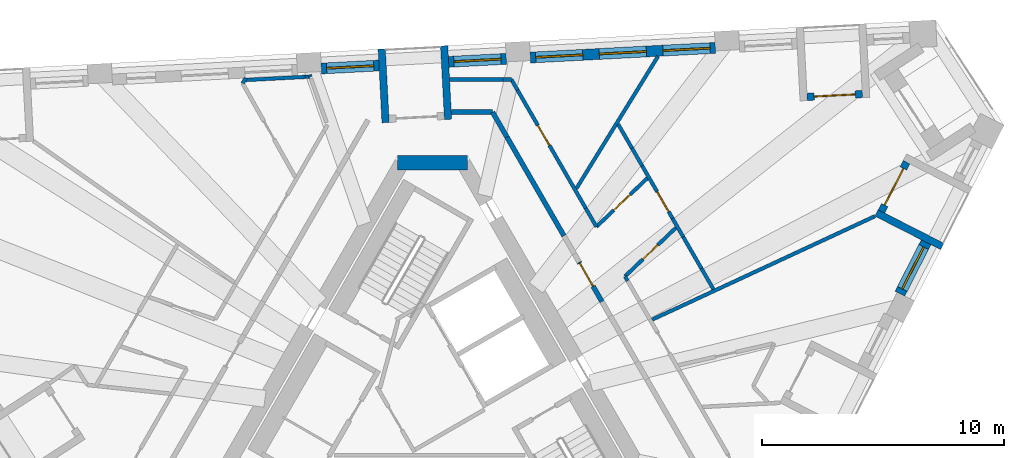
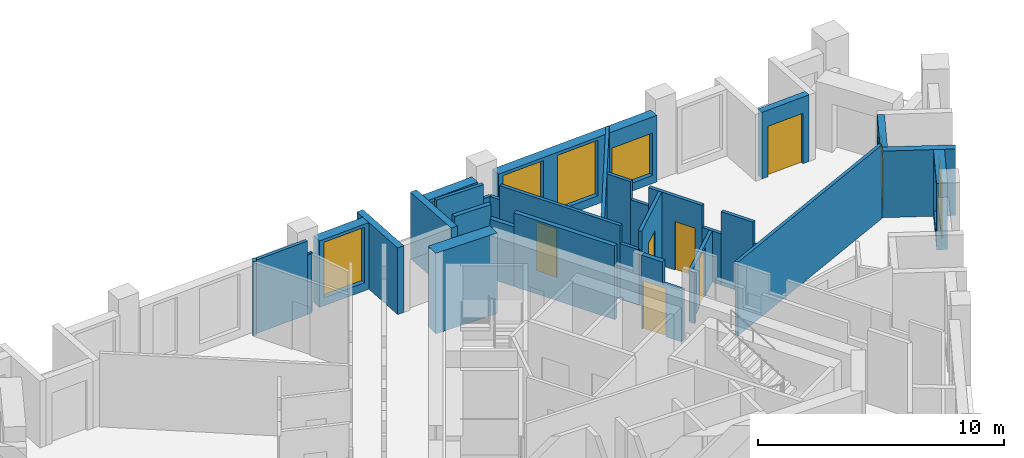
# One storey, part 8 of 13: 34 walls, 7 doors, 6 windows, 13 openings.
"""IFC4 building model written with IfcOpenShell, lengths in metres."""

from ifc_helpers import new_model, si_unit, direction, frame, frame_2d, origin, place, context, subcontext, project, spatial, polyline, rectangle, outline, extrude, material, layer, layer_set, type_object, element, fill, save


model = new_model("IFC4")

# Units and contexts
model_context = context("Model", 3, precision=1e-05, world=origin(), true_north=direction((0.0, 1.0)))
body_context = subcontext(model_context, "Body", "Model", "MODEL_VIEW")
ifc_project = project(units=[si_unit("LENGTHUNIT", "METRE"), si_unit("AREAUNIT", "SQUARE_METRE"), si_unit("VOLUMEUNIT", "CUBIC_METRE"), si_unit("PLANEANGLEUNIT", "RADIAN"), si_unit("MASSUNIT", "GRAM", prefix="KILO")], contexts=[model_context])

# Site, building, storey
site_placement = place(None, origin())
site = spatial("IfcSite", under=ifc_project, at=site_placement, CompositionType="ELEMENT")
building_placement = place(site_placement, origin())
building = spatial("IfcBuilding", under=site, at=building_placement, Name="Tramontana Tower", CompositionType="ELEMENT")
storey_placement = place(building_placement, frame((0.0, 0.0, 290.39990234375)))
storey = spatial("IfcBuildingStorey", under=building, at=storey_placement, Name="L68", CompositionType="ELEMENT", Elevation=290.39990234375)

# Walls
ifc_material_1 = material(Name="Concrete 70 MPa", Category="concrete")
ifc_layer_1 = layer(ifc_material_1, 0.60009765625)
ifc_layer_set_1 = layer_set([ifc_layer_1], Name="Core wall 600 70 MPa")
wall_type_1 = type_object("IfcWallType", Name="Core wall 600 70 MPa", PredefinedType="SHEAR", material=ifc_layer_set_1)
wall_1_placement = place(storey_placement, frame((1.443359375, 10.699951171875, 0.0), z_axis=(0.0, 0.0, 1.0), x_axis=(-1.0, 0.0, 0.0)))
element("IfcWall", 1, at=wall_1_placement, inside=storey, type_object=wall_type_1, Name="Core wall C0 L68", PredefinedType="SHEAR", context=body_context, shape_type="SweptSolid", body=[
    extrude(rectangle(XDim=2.88671875, YDim=0.60009765625, at=frame_2d((1.443359375, 0.0))), origin(), (0.0, 0.0, 1.0), 4.0),
])
ifc_material_2 = material(Name="Blockwork", Category="masonry")
ifc_layer_2 = layer(ifc_material_2, 0.199951171875)
ifc_layer_set_2 = layer_set([ifc_layer_2], Name="ENTRY WALL 200")
wall_type_2 = type_object("IfcWallType", Name="ENTRY WALL 200", PredefinedType="SOLIDWALL", material=ifc_layer_set_2)
wall_2_placement = place(storey_placement, frame((0.774658203125, 12.800048828125, 0.0), z_axis=(0.0, 0.0, 1.0), x_axis=(1.0, 0.0, 0.0)))
element("IfcWall", 2, at=wall_2_placement, inside=storey, type_object=wall_type_2, Name="Wall v71-ew4", PredefinedType="SOLIDWALL", context=body_context, shape_type="SweptSolid", body=[
    extrude(rectangle(XDim=1.7080078125, YDim=0.199951171875, at=frame_2d((0.85400390625, 0.0))), origin(), (0.0, 0.0, 1.0), 3.650146484375),
])
wall_3_placement = place(storey_placement, frame((2.482666015625, 12.800048828125, 0.0), z_axis=(0.0, 0.0, 1.0), x_axis=(0.499983247966, -0.86603507536, 0.0)))
element("IfcWall", 3, at=wall_3_placement, inside=storey, type_object=wall_type_2, Name="Wall v71-ew5-0", PredefinedType="SOLIDWALL", context=body_context, shape_type="SweptSolid", body=[
    extrude(rectangle(XDim=1.1884765625, YDim=0.199951171875, at=frame_2d((0.59423828125, 0.0))), origin(), (0.0, 0.0, 1.0), 2.9501953125),
])
wall_4_placement = place(storey_placement, frame((3.076904296875, 11.770751953125, 0.0), z_axis=(0.0, 0.0, 1.0), x_axis=(0.500007683529, -0.866020967652, 0.0)))
element("IfcWall", 4, at=wall_4_placement, inside=storey, type_object=wall_type_2, Name="Wall v71-ew5-1", PredefinedType="SOLIDWALL", context=body_context, shape_type="SweptSolid", body=[
    extrude(rectangle(XDim=4.71728515625, YDim=0.199951171875, at=frame_2d((2.358642578125, 0.0))), origin(), (0.0, 0.0, 1.0), 3.650146484375),
])

# Wall, opening, door
wall_5_placement = place(storey_placement, frame((6.0654296875, 6.59423828125, 0.0), z_axis=(0.0, 0.0, 1.0), x_axis=(0.499988092049, -0.866032278734, 0.0)))
wall_5 = element("IfcWall", 5, at=wall_5_placement, inside=storey, type_object=wall_type_2, Name="Wall v71-ew5-4", PredefinedType="SOLIDWALL", context=body_context, shape_type="SweptSolid", body=[
    extrude(outline(polyline([(0.0, 0.0), (1.8828125, 0.0), (1.8828125, 2.550048828125), (0.973388671875, 2.550048828125), (0.973388671875, 3.650146484375), (0.0, 3.650146484375), (0.0, 0.0)])), frame((0.0, 0.10009765625, 0.0), z_axis=(0.0, -1.0, 0.0), x_axis=(1.0, 0.0, 0.0)), (0.0, 0.0, 1.0), 0.199951171875),
])
opening_1_placement = place(wall_5_placement, frame((0.050048828125, 0.0, 0.0)))
opening_1 = element("IfcOpeningElement", 6, at=opening_1_placement, cuts=wall_5, Name="Opening B7B-22", PredefinedType="OPENING", context=body_context, shape_type="SweptSolid", body=[
    extrude(rectangle(XDim=1.10009765625, YDim=2.39990234375, at=frame_2d((0.550048828125, 1.199951171875))), frame((0.0, 0.10986328125, 0.0), z_axis=(0.0, -1.0, 0.0), x_axis=(1.0, 0.0, 0.0)), (0.0, 0.0, 1.0), 0.219970703125),
])
ifc_material_3 = material(Name="Painted timber", Category="wood")
door_type_1 = type_object("IfcDoorType", Name="DOOR ENTRY 1100", OperationType="SINGLE_SWING_LEFT", PredefinedType="DOOR", material=ifc_material_3)
door_1_placement = place(opening_1_placement, origin())
door_1 = element("IfcDoor", 7, at=door_1_placement, inside=storey, type_object=door_type_1, Name="Door B7B-22", OperationType="SINGLE_SWING_RIGHT", OverallHeight=2.39990234375, OverallWidth=1.10009765625, PredefinedType="DOOR", context=body_context, shape_type="SweptSolid", body=[
    extrude(rectangle(XDim=1.10009765625, YDim=2.39990234375, at=frame_2d((0.550048828125, 1.199951171875))), frame((0.0, 0.02490234375, 0.0), z_axis=(0.0, -1.0, 0.0), x_axis=(1.0, 0.0, 0.0)), (0.0, 0.0, 1.0), 0.050048828125),
])
fill(opening_1, door_1)

# Wall, opening, window
ifc_material_4 = material(Name="Precast concrete 60 MPa", Category="concrete")
ifc_layer_3 = layer(ifc_material_4, 0.449951171875)
ifc_layer_set_3 = layer_set([ifc_layer_3], Name="Precast concrete 60 MPa, 450 mm")
wall_type_3 = type_object("IfcWallType", Name="EW1 Stone-faced precast wall 450", PredefinedType="SOLIDWALL", material=ifc_layer_set_3)
wall_6_placement = place(storey_placement, frame((19.333740234375, 5.28955078125, 0.0), z_axis=(0.0, 0.0, 1.0), x_axis=(0.453951830128, 0.891026226283, 0.0)))
wall_6 = element("IfcWall", 8, at=wall_6_placement, inside=storey, type_object=wall_type_3, Name="External wall L68 face 1 bay 5", PredefinedType="SOLIDWALL", context=body_context, shape_type="SweptSolid", body=[
    extrude(rectangle(XDim=2.38671875, YDim=0.449951171875, at=frame_2d((1.193359375, 0.0))), origin(), (0.0, 0.0, 1.0), 3.300048828125),
])
opening_2_placement = place(wall_6_placement, frame((0.21826171875, 0.0, 0.39990234375)))
opening_2 = element("IfcOpeningElement", 9, at=opening_2_placement, cuts=wall_6, Name="Opening M3", PredefinedType="OPENING", context=body_context, shape_type="SweptSolid", body=[
    extrude(rectangle(XDim=1.949951171875, YDim=2.75, at=frame_2d((0.97509765625, 1.375))), frame((0.0, 0.23486328125, 0.0), z_axis=(0.0, -1.0, 0.0), x_axis=(1.0, 0.0, 0.0)), (0.0, 0.0, 1.0), 0.469970703125),
])
ifc_material_5 = material(Name="Aluminum frame, double glazing unit", Category="aluminium")
window_type_1 = type_object("IfcWindowType", Name="M3 Window 1.95 x 2.75", PartitioningType="SINGLE_PANEL", PredefinedType="WINDOW", material=ifc_material_5)
window_1_placement = place(opening_2_placement, origin())
window_1 = element("IfcWindow", 10, at=window_1_placement, inside=storey, type_object=window_type_1, Name="Window M3 L68 face 1 module 13", OverallHeight=2.75, OverallWidth=1.949951171875, PartitioningType="SINGLE_PANEL", PredefinedType="WINDOW", context=body_context, shape_type="SweptSolid", body=[
    extrude(rectangle(XDim=1.949951171875, YDim=2.75, at=frame_2d((0.97509765625, 1.375))), frame((0.0, 0.030029296875, 0.0), z_axis=(0.0, -1.0, 0.0), x_axis=(1.0, 0.0, 0.0)), (0.0, 0.0, 1.0), 0.06005859375),
])
fill(opening_2, window_1)

# Wall, openings, windows
wall_7_placement = place(storey_placement, frame((11.697265625, 15.45849609375, 0.0), z_axis=(0.0, 0.0, 1.0), x_axis=(-0.998628023429, -0.052364786088, 0.0)))
wall_7 = element("IfcWall", 11, at=wall_7_placement, inside=storey, type_object=wall_type_3, Name="External wall L68 face 2 bay 2", PredefinedType="SOLIDWALL", context=body_context, shape_type="SweptSolid", body=[
    extrude(rectangle(XDim=7.66015625, YDim=0.449951171875, at=frame_2d((3.830078125, 0.0))), origin(), (0.0, 0.0, 1.0), 3.300048828125),
])
opening_3_placement = place(wall_7_placement, frame((0.21826171875, 0.0, 0.39990234375)))
opening_3 = element("IfcOpeningElement", 12, at=opening_3_placement, cuts=wall_7, Name="Opening M3L", PredefinedType="OPENING", context=body_context, shape_type="SweptSolid", body=[
    extrude(rectangle(XDim=1.949951171875, YDim=2.10009765625, at=frame_2d((0.97509765625, 1.050048828125))), frame((0.0, 0.23486328125, 0.0), z_axis=(0.0, -1.0, 0.0), x_axis=(1.0, 0.0, 0.0)), (0.0, 0.0, 1.0), 0.469970703125),
])
opening_4_placement = place(wall_7_placement, frame((2.855224609375, 0.0, 0.39990234375)))
opening_4 = element("IfcOpeningElement", 13, at=opening_4_placement, cuts=wall_7, Name="Opening M3", PredefinedType="OPENING", context=body_context, shape_type="SweptSolid", body=[
    extrude(rectangle(XDim=1.949951171875, YDim=2.75, at=frame_2d((0.97509765625, 1.375))), frame((0.0, 0.23486328125, 0.0), z_axis=(0.0, -1.0, 0.0), x_axis=(1.0, 0.0, 0.0)), (0.0, 0.0, 1.0), 0.469970703125),
])
opening_5_placement = place(wall_7_placement, frame((5.491943359375, 0.0, 0.39990234375)))
opening_5 = element("IfcOpeningElement", 14, at=opening_5_placement, cuts=wall_7, Name="Opening M3", PredefinedType="OPENING", context=body_context, shape_type="SweptSolid", body=[
    extrude(rectangle(XDim=1.949951171875, YDim=2.75, at=frame_2d((0.97509765625, 1.375))), frame((0.0, 0.23486328125, 0.0), z_axis=(0.0, -1.0, 0.0), x_axis=(1.0, 0.0, 0.0)), (0.0, 0.0, 1.0), 0.469970703125),
])
window_2_placement = place(opening_4_placement, origin())
window_2 = element("IfcWindow", 15, at=window_2_placement, inside=storey, type_object=window_type_1, Name="Window M3 L68 face 2 module 5", OverallHeight=2.75, OverallWidth=1.949951171875, PartitioningType="SINGLE_PANEL", PredefinedType="WINDOW", context=body_context, shape_type="SweptSolid", body=[
    extrude(rectangle(XDim=1.949951171875, YDim=2.75, at=frame_2d((0.97509765625, 1.375))), frame((0.0, 0.030029296875, 0.0), z_axis=(0.0, -1.0, 0.0), x_axis=(1.0, 0.0, 0.0)), (0.0, 0.0, 1.0), 0.06005859375),
])
fill(opening_4, window_2)
window_3_placement = place(opening_5_placement, origin())
window_3 = element("IfcWindow", 16, at=window_3_placement, inside=storey, type_object=window_type_1, Name="Window M3 L68 face 2 module 6", OverallHeight=2.75, OverallWidth=1.949951171875, PartitioningType="SINGLE_PANEL", PredefinedType="WINDOW", context=body_context, shape_type="SweptSolid", body=[
    extrude(rectangle(XDim=1.949951171875, YDim=2.75, at=frame_2d((0.97509765625, 1.375))), frame((0.0, 0.030029296875, 0.0), z_axis=(0.0, -1.0, 0.0), x_axis=(1.0, 0.0, 0.0)), (0.0, 0.0, 1.0), 0.06005859375),
])
fill(opening_5, window_3)
ifc_material_6 = material(Name="Aluminum frame, double glazing unit", Category="aluminium")
window_type_2 = type_object("IfcWindowType", Name="M3L Window 1.95 x 2.1", PartitioningType="SINGLE_PANEL", PredefinedType="WINDOW", material=ifc_material_6)
window_4_placement = place(opening_3_placement, origin())
window_4 = element("IfcWindow", 17, at=window_4_placement, inside=storey, type_object=window_type_2, Name="Window M3L L68 face 2 module 4", OverallHeight=2.10009765625, OverallWidth=1.949951171875, PartitioningType="SINGLE_PANEL", PredefinedType="WINDOW", context=body_context, shape_type="SweptSolid", body=[
    extrude(rectangle(XDim=1.949951171875, YDim=2.10009765625, at=frame_2d((0.97509765625, 1.050048828125))), frame((0.0, 0.030029296875, 0.0), z_axis=(0.0, -1.0, 0.0), x_axis=(1.0, 0.0, 0.0)), (0.0, 0.0, 1.0), 0.06005859375),
])
fill(opening_3, window_4)

# Wall, opening, window
wall_8_placement = place(storey_placement, frame((3.049072265625, 15.005126953125, 0.0), z_axis=(0.0, 0.0, 1.0), x_axis=(-0.998627701279, -0.052370929331, 0.0)))
wall_8 = element("IfcWall", 18, at=wall_8_placement, inside=storey, type_object=wall_type_3, Name="External wall L68 face 2 bay 3", PredefinedType="SOLIDWALL", context=body_context, shape_type="SweptSolid", body=[
    extrude(rectangle(XDim=2.38671875, YDim=0.449951171875, at=frame_2d((1.193359375, 0.0))), origin(), (0.0, 0.0, 1.0), 3.300048828125),
])
opening_6_placement = place(wall_8_placement, frame((0.21826171875, 0.0, 0.39990234375)))
opening_6 = element("IfcOpeningElement", 19, at=opening_6_placement, cuts=wall_8, Name="Opening M3", PredefinedType="OPENING", context=body_context, shape_type="SweptSolid", body=[
    extrude(rectangle(XDim=1.949951171875, YDim=2.75, at=frame_2d((0.97509765625, 1.375))), frame((0.0, 0.23486328125, 0.0), z_axis=(0.0, -1.0, 0.0), x_axis=(1.0, 0.0, 0.0)), (0.0, 0.0, 1.0), 0.469970703125),
])
window_5_placement = place(opening_6_placement, origin())
window_5 = element("IfcWindow", 20, at=window_5_placement, inside=storey, type_object=window_type_1, Name="Window M3 L68 face 2 module 7", OverallHeight=2.75, OverallWidth=1.949951171875, PartitioningType="SINGLE_PANEL", PredefinedType="WINDOW", context=body_context, shape_type="SweptSolid", body=[
    extrude(rectangle(XDim=1.949951171875, YDim=2.75, at=frame_2d((0.97509765625, 1.375))), frame((0.0, 0.030029296875, 0.0), z_axis=(0.0, -1.0, 0.0), x_axis=(1.0, 0.0, 0.0)), (0.0, 0.0, 1.0), 0.06005859375),
])
fill(opening_6, window_5)

wall_9_placement = place(storey_placement, frame((-2.21728515625, 14.729248046875, 0.0), z_axis=(0.0, 0.0, 1.0), x_axis=(-0.998627701279, -0.052370929331, 0.0)))
wall_9 = element("IfcWall", 21, at=wall_9_placement, inside=storey, type_object=wall_type_3, Name="External wall L68 face 2 bay 3", PredefinedType="SOLIDWALL", context=body_context, shape_type="SweptSolid", body=[
    extrude(rectangle(XDim=2.38671875, YDim=0.449951171875, at=frame_2d((1.193359375, 0.0))), origin(), (0.0, 0.0, 1.0), 3.300048828125),
])
opening_7_placement = place(wall_9_placement, frame((0.21826171875, 0.0, 0.39990234375)))
opening_7 = element("IfcOpeningElement", 22, at=opening_7_placement, cuts=wall_9, Name="Opening M3", PredefinedType="OPENING", context=body_context, shape_type="SweptSolid", body=[
    extrude(rectangle(XDim=1.949951171875, YDim=2.75, at=frame_2d((0.97509765625, 1.375))), frame((0.0, 0.23486328125, 0.0), z_axis=(0.0, -1.0, 0.0), x_axis=(1.0, 0.0, 0.0)), (0.0, 0.0, 1.0), 0.469970703125),
])
window_6_placement = place(opening_7_placement, origin())
window_6 = element("IfcWindow", 23, at=window_6_placement, inside=storey, type_object=window_type_1, Name="Window M3 L68 face 2 module 9", OverallHeight=2.75, OverallWidth=1.949951171875, PartitioningType="SINGLE_PANEL", PredefinedType="WINDOW", context=body_context, shape_type="SweptSolid", body=[
    extrude(rectangle(XDim=1.949951171875, YDim=2.75, at=frame_2d((0.97509765625, 1.375))), frame((0.0, 0.030029296875, 0.0), z_axis=(0.0, -1.0, 0.0), x_axis=(1.0, 0.0, 0.0)), (0.0, 0.0, 1.0), 0.06005859375),
])
fill(opening_7, window_6)

# Wall, opening, door
ifc_material_7 = material(Name="Precast concrete 60 MPa", Category="concrete")
ifc_layer_4 = layer(ifc_material_7, 0.300048828125)
ifc_layer_set_4 = layer_set([ifc_layer_4], Name="LW1 Stone-faced loggia wall 300")
wall_type_4 = type_object("IfcWallType", Name="LW1 Stone-faced loggia wall 300", PredefinedType="SOLIDWALL", material=ifc_layer_set_4)
wall_10_placement = place(storey_placement, frame((18.571044921875, 8.693603515625, 0.0), z_axis=(0.0, 0.0, 1.0), x_axis=(0.453948171533, 0.89102809022, 0.0)))
wall_10 = element("IfcWall", 24, at=wall_10_placement, inside=storey, type_object=wall_type_4, Name="Loggia wall L68 G7S1.13", PredefinedType="SOLIDWALL", context=body_context, shape_type="SweptSolid", body=[
    extrude(rectangle(XDim=2.286865234375, YDim=0.300048828125, at=frame_2d((1.1435546875, 0.0))), origin(), (0.0, 0.0, 1.0), 3.300048828125),
])
opening_8_placement = place(wall_10_placement, frame((0.29345703125, 0.0, 0.0)))
opening_8 = element("IfcOpeningElement", 25, at=opening_8_placement, cuts=wall_10, Name="Opening BD-7S1-13", PredefinedType="OPENING", context=body_context, shape_type="SweptSolid", body=[
    extrude(rectangle(XDim=1.699951171875, YDim=2.5, at=frame_2d((0.85009765625, 1.25))), frame((0.0, 0.159912109375, 0.0), z_axis=(0.0, -1.0, 0.0), x_axis=(1.0, 0.0, 0.0)), (0.0, 0.0, 1.0), 0.320068359375),
])
ifc_material_8 = material(Name="Aluminum frame, double glazing unit", Category="aluminium")
door_type_2 = type_object("IfcDoorType", Name="BD3 Sliding door 1.7 x 2.5", OperationType="SLIDING_TO_LEFT", PredefinedType="DOOR", material=ifc_material_8)
door_2_placement = place(opening_8_placement, origin())
door_2 = element("IfcDoor", 26, at=door_2_placement, inside=storey, type_object=door_type_2, Name="Loggia door L68 G7S1.13", OperationType="SLIDING_TO_LEFT", OverallHeight=2.5, OverallWidth=1.699951171875, PredefinedType="DOOR", context=body_context, shape_type="SweptSolid", body=[
    extrude(rectangle(XDim=1.699951171875, YDim=2.5, at=frame_2d((0.85009765625, 1.25))), frame((0.0, 0.02490234375, 0.0), z_axis=(0.0, -1.0, 0.0), x_axis=(1.0, 0.0, 0.0)), (0.0, 0.0, 1.0), 0.050048828125),
])
fill(opening_8, door_2)

# Wall
wall_11_placement = place(storey_placement, frame((21.086669921875, 7.243408203125, 0.0), z_axis=(0.0, 0.0, 1.0), x_axis=(-0.890991233495, 0.454020508165, 0.0)))
element("IfcWall", 27, at=wall_11_placement, inside=storey, type_object=wall_type_4, Name="Loggia return L68 G7S1.13a", PredefinedType="SOLIDWALL", context=body_context, shape_type="SweptSolid", body=[
    extrude(rectangle(XDim=3.050048828125, YDim=0.300048828125, at=frame_2d((1.52490234375, 0.0))), origin(), (0.0, 0.0, 1.0), 3.300048828125),
])

# Wall, opening, door
wall_12_placement = place(storey_placement, frame((17.779052734375, 13.549072265625, 0.0), z_axis=(0.0, 0.0, 1.0), x_axis=(-0.998630483018, -0.052317859155, 0.0)))
wall_12 = element("IfcWall", 28, at=wall_12_placement, inside=storey, type_object=wall_type_4, Name="Loggia wall L68 G7S2.1", PredefinedType="SOLIDWALL", context=body_context, shape_type="SweptSolid", body=[
    extrude(rectangle(XDim=2.28662109375, YDim=0.300048828125, at=frame_2d((1.143310546875, 0.0))), origin(), (0.0, 0.0, 1.0), 3.300048828125),
])
opening_9_placement = place(wall_12_placement, frame((0.29345703125, 0.0, 0.0)))
opening_9 = element("IfcOpeningElement", 29, at=opening_9_placement, cuts=wall_12, Name="Opening BD-7S2-01", PredefinedType="OPENING", context=body_context, shape_type="SweptSolid", body=[
    extrude(rectangle(XDim=1.699951171875, YDim=2.5, at=frame_2d((0.85009765625, 1.25))), frame((0.0, 0.159912109375, 0.0), z_axis=(0.0, -1.0, 0.0), x_axis=(1.0, 0.0, 0.0)), (0.0, 0.0, 1.0), 0.320068359375),
])
door_3_placement = place(opening_9_placement, origin())
door_3 = element("IfcDoor", 30, at=door_3_placement, inside=storey, type_object=door_type_2, Name="Loggia door L68 G7S2.1", OperationType="SLIDING_TO_LEFT", OverallHeight=2.5, OverallWidth=1.699951171875, PredefinedType="DOOR", context=body_context, shape_type="SweptSolid", body=[
    extrude(rectangle(XDim=1.699951171875, YDim=2.5, at=frame_2d((0.85009765625, 1.25))), frame((0.0, 0.02490234375, 0.0), z_axis=(0.0, -1.0, 0.0), x_axis=(1.0, 0.0, 0.0)), (0.0, 0.0, 1.0), 0.050048828125),
])
fill(opening_9, door_3)

# Walls
wall_13_placement = place(storey_placement, frame((0.48046875, 15.54638671875, 0.0), z_axis=(0.0, 0.0, 1.0), x_axis=(0.052352956549, -0.998628643661, 0.0)))
element("IfcWall", 31, at=wall_13_placement, inside=storey, type_object=wall_type_4, Name="Loggia return L68 G7S2.7a", PredefinedType="SOLIDWALL", context=body_context, shape_type="SweptSolid", body=[
    extrude(rectangle(XDim=3.0498046875, YDim=0.300048828125, at=frame_2d((1.52490234375, 0.0))), origin(), (0.0, 0.0, 1.0), 3.300048828125),
])
wall_14_placement = place(storey_placement, frame((-2.102783203125, 15.4111328125, 0.0), z_axis=(0.0, 0.0, 1.0), x_axis=(0.052348771756, -0.99862886304, 0.0)))
element("IfcWall", 32, at=wall_14_placement, inside=storey, type_object=wall_type_4, Name="Loggia return L68 G7S2.7b", PredefinedType="SOLIDWALL", context=body_context, shape_type="SweptSolid", body=[
    extrude(rectangle(XDim=3.050048828125, YDim=0.300048828125, at=frame_2d((1.52490234375, 0.0))), origin(), (0.0, 0.0, 1.0), 3.300048828125),
])
ifc_material_9 = material(Name="Gypsum board partition")
ifc_layer_5 = layer(ifc_material_9, 0.14990234375)
ifc_layer_set_5 = layer_set([ifc_layer_5], Name="PARTITION 150")
wall_type_5 = type_object("IfcWallType", Name="PARTITION 150", PredefinedType="PARTITIONING", material=ifc_layer_set_5)
wall_15_placement = place(storey_placement, frame((-7.8564453125, 13.9921875, 0.0), z_axis=(0.0, 0.0, 1.0), x_axis=(0.499914057068, 0.866075017274, 0.0)))
element("IfcWall", 33, at=wall_15_placement, inside=storey, type_object=wall_type_5, Name="Wall v71-pw11", PredefinedType="PARTITIONING", context=body_context, shape_type="SweptSolid", body=[
    extrude(rectangle(XDim=0.25732421875, YDim=0.14990234375, at=frame_2d((0.128662109375, 0.0))), origin(), (0.0, 0.0, 1.0), 3.650146484375),
])
wall_16_placement = place(storey_placement, frame((-7.723388671875, 14.130126953125, 0.0), z_axis=(0.0, 0.0, 1.0), x_axis=(0.998631230804, 0.052303583645, 0.0)))
element("IfcWall", 34, at=wall_16_placement, inside=storey, type_object=wall_type_5, Name="Wall v71-pw12-0", PredefinedType="PARTITIONING", context=body_context, shape_type="SweptSolid", body=[
    extrude(rectangle(XDim=2.4599609375, YDim=0.14990234375, at=frame_2d((1.22998046875, 0.0))), origin(), (0.0, 0.0, 1.0), 3.650146484375),
])
wall_17_placement = place(storey_placement, frame((-5.266845703125, 14.2587890625, 0.0), z_axis=(0.0, 0.0, 1.0), x_axis=(0.998580804678, 0.053257642916, 0.0)))
element("IfcWall", 35, at=wall_17_placement, inside=storey, type_object=wall_type_5, Name="Wall v71-pw12-1", PredefinedType="PARTITIONING", context=body_context, shape_type="SweptSolid", body=[
    extrude(rectangle(XDim=0.183349609375, YDim=0.14990234375, at=frame_2d((0.091796875, 0.0))), origin(), (0.0, 0.0, 1.0), 2.9501953125),
])
wall_18_placement = place(storey_placement, frame((-5.051025390625, 14.257080078125, 0.0), z_axis=(0.0, 0.0, 1.0), x_axis=(-0.333076318003, 0.942899870816, 0.0)))
element("IfcWall", 36, at=wall_18_placement, inside=storey, type_object=wall_type_5, Name="Wall v71-pw16-0", PredefinedType="PARTITIONING", context=body_context, shape_type="SweptSolid", body=[
    extrude(rectangle(XDim=0.099609375, YDim=0.14990234375, at=frame_2d((0.0498046875, 0.0))), origin(), (0.0, 0.0, 1.0), 2.9501953125),
])
wall_19_placement = place(storey_placement, frame((0.703857421875, 14.14990234375, 0.0), z_axis=(0.0, 0.0, 1.0), x_axis=(1.0, 0.0, 0.0)))
element("IfcWall", 37, at=wall_19_placement, inside=storey, type_object=wall_type_5, Name="Wall v71-pw20-0", PredefinedType="PARTITIONING", context=body_context, shape_type="SweptSolid", body=[
    extrude(rectangle(XDim=2.216796875, YDim=0.14990234375, at=frame_2d((1.1083984375, 0.0))), origin(), (0.0, 0.0, 1.0), 3.650146484375),
])
wall_20_placement = place(storey_placement, frame((2.920654296875, 14.14990234375, 0.0), z_axis=(0.0, 0.0, 1.0), x_axis=(1.0, 0.0, 0.0)))
element("IfcWall", 38, at=wall_20_placement, inside=storey, type_object=wall_type_5, Name="Wall v71-pw20-1", PredefinedType="PARTITIONING", context=body_context, shape_type="SweptSolid", body=[
    extrude(rectangle(XDim=0.34130859375, YDim=0.14990234375, at=frame_2d((0.170654296875, 0.0))), origin(), (0.0, 0.0, 1.0), 2.9501953125),
])
wall_21_placement = place(storey_placement, frame((3.261962890625, 14.14990234375, 0.0), z_axis=(0.0, 0.0, 1.0), x_axis=(0.500115484592, -0.865958718457, 0.0)))
element("IfcWall", 39, at=wall_21_placement, inside=storey, type_object=wall_type_5, Name="Wall v71-pw24-0", PredefinedType="PARTITIONING", context=body_context, shape_type="SweptSolid", body=[
    extrude(rectangle(XDim=0.501953125, YDim=0.14990234375, at=frame_2d((0.2509765625, 0.0))), origin(), (0.0, 0.0, 1.0), 2.9501953125),
])

# Wall, opening, door
wall_22_placement = place(storey_placement, frame((3.512939453125, 13.71533203125, 0.0), z_axis=(0.0, 0.0, 1.0), x_axis=(0.500019542665, -0.866014120528, 0.0)))
wall_22 = element("IfcWall", 40, at=wall_22_placement, inside=storey, type_object=wall_type_5, Name="Wall v71-pw24-1", PredefinedType="PARTITIONING", context=body_context, shape_type="SweptSolid", body=[
    extrude(rectangle(XDim=5.643310546875, YDim=0.14990234375, at=frame_2d((2.82177734375, 0.0))), origin(), (0.0, 0.0, 1.0), 3.650146484375),
])
opening_10_placement = place(wall_22_placement, frame((1.68896484375, 0.0, 0.0)))
opening_10 = element("IfcOpeningElement", 41, at=opening_10_placement, cuts=wall_22, Name="Opening B7B-18", PredefinedType="OPENING", context=body_context, shape_type="SweptSolid", body=[
    extrude(rectangle(XDim=0.949951171875, YDim=2.39990234375, at=frame_2d((0.47509765625, 1.199951171875))), frame((0.0, 0.0849609375, 0.0), z_axis=(0.0, -1.0, 0.0), x_axis=(1.0, 0.0, 0.0)), (0.0, 0.0, 1.0), 0.169921875),
])
ifc_material_10 = material(Name="Painted timber", Category="wood")
door_type_3 = type_object("IfcDoorType", Name="DOOR ROOM 950", OperationType="SINGLE_SWING_LEFT", PredefinedType="DOOR", material=ifc_material_10)
door_4_placement = place(opening_10_placement, origin())
door_4 = element("IfcDoor", 42, at=door_4_placement, inside=storey, type_object=door_type_3, Name="Door B7B-18", OperationType="SINGLE_SWING_RIGHT", OverallHeight=2.39990234375, OverallWidth=0.949951171875, PredefinedType="DOOR", context=body_context, shape_type="SweptSolid", body=[
    extrude(rectangle(XDim=0.949951171875, YDim=2.39990234375, at=frame_2d((0.47509765625, 1.199951171875))), frame((0.0, 0.02490234375, 0.0), z_axis=(0.0, -1.0, 0.0), x_axis=(1.0, 0.0, 0.0)), (0.0, 0.0, 1.0), 0.050048828125),
])
fill(opening_10, door_4)

# Walls
wall_23_placement = place(storey_placement, frame((6.334716796875, 8.828125, 0.0), z_axis=(0.0, 0.0, 1.0), x_axis=(0.499952443665, -0.866052858707, 0.0)))
element("IfcWall", 43, at=wall_23_placement, inside=storey, type_object=wall_type_5, Name="Wall v71-pw24-2", PredefinedType="PARTITIONING", context=body_context, shape_type="SweptSolid", body=[
    extrude(rectangle(XDim=0.88818359375, YDim=0.14990234375, at=frame_2d((0.444091796875, 0.0))), origin(), (0.0, 0.0, 1.0), 2.75),
])
wall_24_placement = place(storey_placement, frame((5.951416015625, 9.641845703125, 0.0), z_axis=(0.0, 0.0, 1.0), x_axis=(0.525218585936, 0.850967353655, 0.0)))
element("IfcWall", 44, at=wall_24_placement, inside=storey, type_object=wall_type_5, Name="Wall v71-pw29", PredefinedType="PARTITIONING", context=body_context, shape_type="SweptSolid", body=[
    extrude(rectangle(XDim=6.424560546875, YDim=0.14990234375, at=frame_2d((3.21240234375, 0.0))), origin(), (0.0, 0.0, 1.0), 3.650146484375),
])

# Wall, opening, door
wall_25_placement = place(storey_placement, frame((6.77880859375, 8.058837890625, 0.0), z_axis=(0.0, 0.0, 1.0), x_axis=(0.723456580419, 0.690369883648, 0.0)))
wall_25 = element("IfcWall", 45, at=wall_25_placement, inside=storey, type_object=wall_type_5, Name="Wall v71-pw31", PredefinedType="PARTITIONING", context=body_context, shape_type="SweptSolid", body=[
    extrude(rectangle(XDim=2.9072265625, YDim=0.14990234375, at=frame_2d((1.45361328125, 0.0))), origin(), (0.0, 0.0, 1.0), 3.650146484375),
])
opening_11_placement = place(wall_25_placement, frame((0.978515625, 0.0, 0.0)))
opening_11 = element("IfcOpeningElement", 46, at=opening_11_placement, cuts=wall_25, Name="Opening B7B-13", PredefinedType="OPENING", context=body_context, shape_type="SweptSolid", body=[
    extrude(rectangle(XDim=0.949951171875, YDim=2.39990234375, at=frame_2d((0.47509765625, 1.199951171875))), frame((0.0, 0.0849609375, 0.0), z_axis=(0.0, -1.0, 0.0), x_axis=(1.0, 0.0, 0.0)), (0.0, 0.0, 1.0), 0.169921875),
])
door_5_placement = place(opening_11_placement, origin())
door_5 = element("IfcDoor", 47, at=door_5_placement, inside=storey, type_object=door_type_3, Name="Door B7B-13", OperationType="SINGLE_SWING_LEFT", OverallHeight=2.39990234375, OverallWidth=0.949951171875, PredefinedType="DOOR", context=body_context, shape_type="SweptSolid", body=[
    extrude(rectangle(XDim=0.949951171875, YDim=2.39990234375, at=frame_2d((0.47509765625, 1.199951171875))), frame((0.0, 0.02490234375, 0.0), z_axis=(0.0, -1.0, 0.0), x_axis=(1.0, 0.0, 0.0)), (0.0, 0.0, 1.0), 0.050048828125),
])
fill(opening_11, door_5)

# Walls
wall_26_placement = place(storey_placement, frame((7.679443359375, 12.298828125, 0.0), z_axis=(0.0, 0.0, 1.0), x_axis=(0.499925626596, -0.866068339032, 0.0)))
element("IfcWall", 48, at=wall_26_placement, inside=storey, type_object=wall_type_5, Name="Wall v71-pw32-0", PredefinedType="PARTITIONING", context=body_context, shape_type="SweptSolid", body=[
    extrude(rectangle(XDim=1.144287109375, YDim=0.14990234375, at=frame_2d((0.572265625, 0.0))), origin(), (0.0, 0.0, 1.0), 3.650146484375),
])
wall_27_placement = place(storey_placement, frame((8.25146484375, 11.307861328125, 0.0), z_axis=(0.0, 0.0, 1.0), x_axis=(0.500151338474, -0.865938010843, 0.0)))
element("IfcWall", 49, at=wall_27_placement, inside=storey, type_object=wall_type_5, Name="Wall v71-pw32-1", PredefinedType="PARTITIONING", context=body_context, shape_type="SweptSolid", body=[
    extrude(rectangle(XDim=0.837646484375, YDim=0.14990234375, at=frame_2d((0.4189453125, 0.0))), origin(), (0.0, 0.0, 1.0), 2.75),
])

# Wall, opening, door
wall_28_placement = place(storey_placement, frame((8.67041015625, 10.58251953125, 0.0), z_axis=(0.0, 0.0, 1.0), x_axis=(0.499938053331, -0.866061165757, 0.0)))
wall_28 = element("IfcWall", 50, at=wall_28_placement, inside=storey, type_object=wall_type_5, Name="Wall v71-pw32-2", PredefinedType="PARTITIONING", context=body_context, shape_type="SweptSolid", body=[
    extrude(rectangle(XDim=2.515869140625, YDim=0.14990234375, at=frame_2d((1.2578125, 0.0))), origin(), (0.0, 0.0, 1.0), 3.650146484375),
])
opening_12_placement = place(wall_28_placement, frame((1.243896484375, 0.0, 0.0)))
opening_12 = element("IfcOpeningElement", 51, at=opening_12_placement, cuts=wall_28, Name="Opening B7B-15", PredefinedType="OPENING", context=body_context, shape_type="SweptSolid", body=[
    extrude(rectangle(XDim=0.949951171875, YDim=2.39990234375, at=frame_2d((0.47509765625, 1.199951171875))), frame((0.0, 0.0849609375, 0.0), z_axis=(0.0, -1.0, 0.0), x_axis=(1.0, 0.0, 0.0)), (0.0, 0.0, 1.0), 0.169921875),
])
door_6_placement = place(opening_12_placement, origin())
door_6 = element("IfcDoor", 52, at=door_6_placement, inside=storey, type_object=door_type_3, Name="Door B7B-15", OperationType="SINGLE_SWING_LEFT", OverallHeight=2.39990234375, OverallWidth=0.949951171875, PredefinedType="DOOR", context=body_context, shape_type="SweptSolid", body=[
    extrude(rectangle(XDim=0.949951171875, YDim=2.39990234375, at=frame_2d((0.47509765625, 1.199951171875))), frame((0.0, 0.02490234375, 0.0), z_axis=(0.0, -1.0, 0.0), x_axis=(1.0, 0.0, 0.0)), (0.0, 0.0, 1.0), 0.050048828125),
])
fill(opening_12, door_6)

# Walls
wall_29_placement = place(storey_placement, frame((9.92822265625, 8.403564453125, 0.0), z_axis=(0.0, 0.0, 1.0), x_axis=(0.500176418896, -0.865923524325, 0.0)))
element("IfcWall", 53, at=wall_29_placement, inside=storey, type_object=wall_type_5, Name="Wall v71-pw32-3", PredefinedType="PARTITIONING", context=body_context, shape_type="SweptSolid", body=[
    extrude(rectangle(XDim=0.884521484375, YDim=0.14990234375, at=frame_2d((0.4423828125, 0.0))), origin(), (0.0, 0.0, 1.0), 2.550048828125),
])
wall_30_placement = place(storey_placement, frame((10.37060546875, 7.6376953125, 0.0), z_axis=(0.0, 0.0, 1.0), x_axis=(0.499983823482, -0.8660347431, 0.0)))
element("IfcWall", 54, at=wall_30_placement, inside=storey, type_object=wall_type_5, Name="Wall v71-pw32-4", PredefinedType="PARTITIONING", context=body_context, shape_type="SweptSolid", body=[
    extrude(rectangle(XDim=1.50927734375, YDim=0.14990234375, at=frame_2d((0.754638671875, 0.0))), origin(), (0.0, 0.0, 1.0), 3.650146484375),
])
wall_31_placement = place(storey_placement, frame((11.125244140625, 6.33056640625, 0.0), z_axis=(0.0, 0.0, 1.0), x_axis=(0.500022136814, -0.866012622712, 0.0)))
element("IfcWall", 55, at=wall_31_placement, inside=storey, type_object=wall_type_5, Name="Wall v71-pw32-5", PredefinedType="PARTITIONING", context=body_context, shape_type="SweptSolid", body=[
    extrude(rectangle(XDim=0.9873046875, YDim=0.14990234375, at=frame_2d((0.49365234375, 0.0))), origin(), (0.0, 0.0, 1.0), 2.550048828125),
])
wall_32_placement = place(storey_placement, frame((7.962158203125, 6.009033203125, 0.0), z_axis=(0.0, 0.0, 1.0), x_axis=(0.500240224089, -0.865886665912, 0.0)))
element("IfcWall", 56, at=wall_32_placement, inside=storey, type_object=wall_type_5, Name="Wall v71-pw33-0", PredefinedType="PARTITIONING", context=body_context, shape_type="SweptSolid", body=[
    extrude(rectangle(XDim=0.2177734375, YDim=0.14990234375, at=frame_2d((0.10888671875, 0.0))), origin(), (0.0, 0.0, 1.0), 2.550048828125),
])

# Wall, opening, door
wall_33_placement = place(storey_placement, frame((10.0654296875, 8.01611328125, 0.0), z_axis=(0.0, 0.0, 1.0), x_axis=(-0.723456580419, -0.690369883648, 0.0)))
wall_33 = element("IfcWall", 57, at=wall_33_placement, inside=storey, type_object=wall_type_5, Name="Wall v71-pw35-0", PredefinedType="PARTITIONING", context=body_context, shape_type="SweptSolid", body=[
    extrude(rectangle(XDim=2.9072265625, YDim=0.14990234375, at=frame_2d((1.45361328125, 0.0))), origin(), (0.0, 0.0, 1.0), 2.550048828125),
])
opening_13_placement = place(wall_33_placement, frame((1.028564453125, 0.0, 0.0)))
opening_13 = element("IfcOpeningElement", 58, at=opening_13_placement, cuts=wall_33, Name="Opening B7B-14", PredefinedType="OPENING", context=body_context, shape_type="SweptSolid", body=[
    extrude(rectangle(XDim=0.85009765625, YDim=2.39990234375, at=frame_2d((0.425048828125, 1.199951171875))), frame((0.0, 0.0849609375, 0.0), z_axis=(0.0, -1.0, 0.0), x_axis=(1.0, 0.0, 0.0)), (0.0, 0.0, 1.0), 0.169921875),
])
ifc_material_11 = material(Name="Painted timber", Category="wood")
door_type_4 = type_object("IfcDoorType", Name="DOOR BATH 850", OperationType="SINGLE_SWING_LEFT", PredefinedType="DOOR", material=ifc_material_11)
door_7_placement = place(opening_13_placement, origin())
door_7 = element("IfcDoor", 59, at=door_7_placement, inside=storey, type_object=door_type_4, Name="Door B7B-14", OperationType="SINGLE_SWING_RIGHT", OverallHeight=2.39990234375, OverallWidth=0.85009765625, PredefinedType="DOOR", context=body_context, shape_type="SweptSolid", body=[
    extrude(rectangle(XDim=0.85009765625, YDim=2.39990234375, at=frame_2d((0.425048828125, 1.199951171875))), frame((0.0, 0.02490234375, 0.0), z_axis=(0.0, -1.0, 0.0), x_axis=(1.0, 0.0, 0.0)), (0.0, 0.0, 1.0), 0.050048828125),
])
fill(opening_13, door_7)

# Wall
wall_34_placement = place(storey_placement, frame((18.301025390625, 8.494384765625, 0.0), z_axis=(0.0, 0.0, 1.0), x_axis=(-0.907056484696, -0.421008947139, 0.0)))
element("IfcWall", 60, at=wall_34_placement, inside=storey, type_object=wall_type_5, Name="Wall v71-pw43", PredefinedType="PARTITIONING", context=body_context, shape_type="SweptSolid", body=[
    extrude(rectangle(XDim=10.161376953125, YDim=0.14990234375, at=frame_2d((5.08056640625, 0.0))), origin(), (0.0, 0.0, 1.0), 3.650146484375),
])

save(model, "model.ifc")
